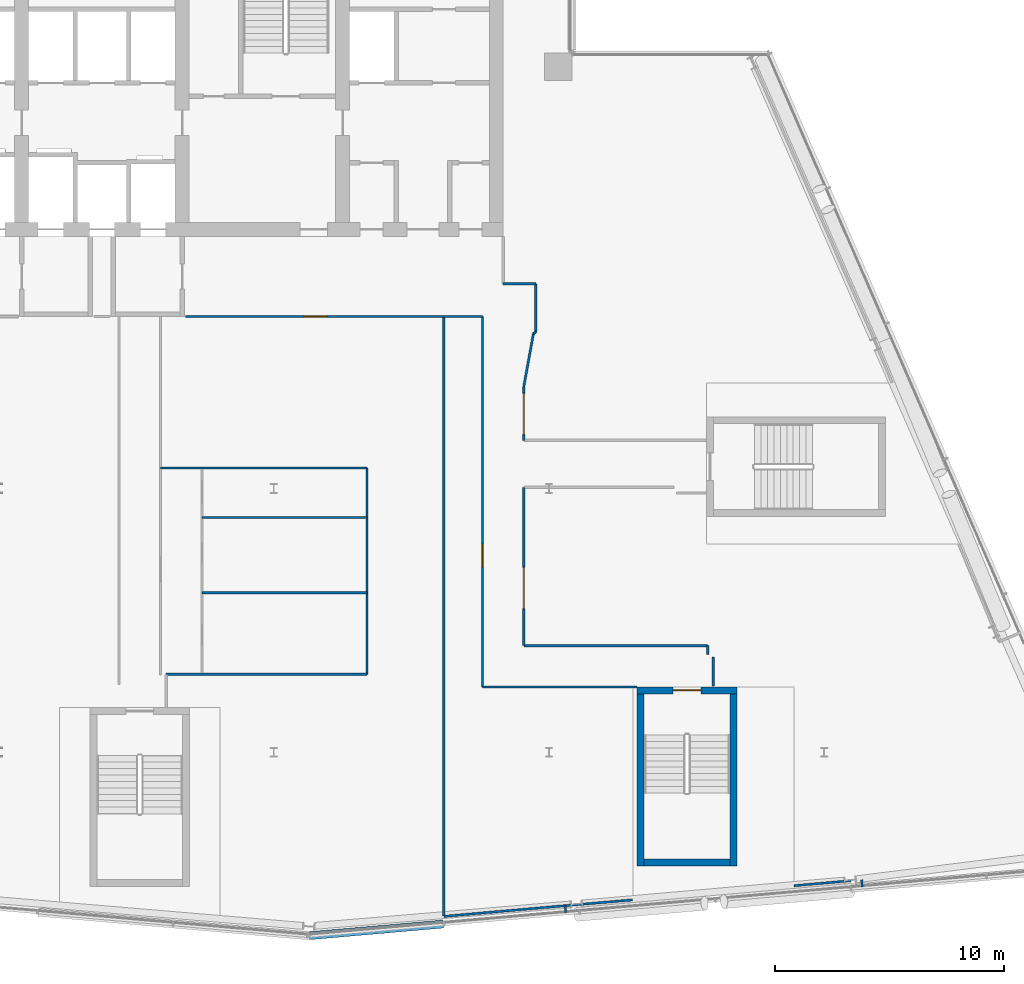
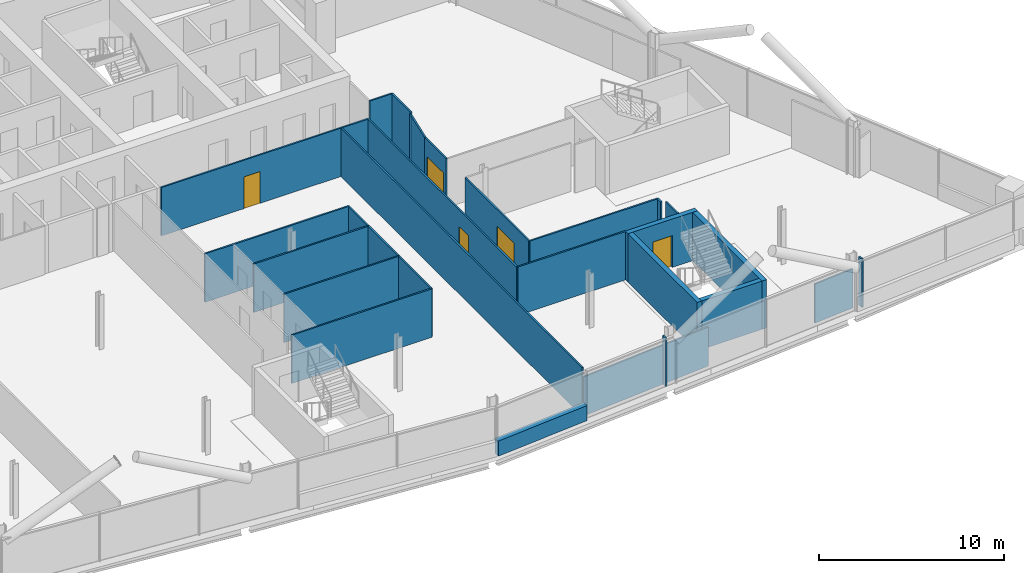
# One storey, part 16 of 25: 28 walls, 5 doors, 5 openings.
"""IFC4 building model written with IfcOpenShell, lengths in metres."""

import ifcopenshell
import ifcopenshell.guid

model = None  # the IFC model being written
_history = None  # IfcOwnerHistory: only IFC2X3 demands one
_inside = {}  # id of a spatial element -> (the spatial element, [elements in it])
_under = {}  # id of a project, library or spatial element -> (it, [spatial elements below it])
_declared = {}  # id of a project -> (the project, [libraries it declares])
_typed = {}  # id of a type object -> (the type object, [elements of that type])
_made_of = {}  # id of a material, layer set ... -> (it, [elements and type objects made of it])


def new_model(schema):
    """Start an empty IFC model of exactly this schema.

    Asked for "IFC4X3", IfcOpenShell would pick the latest addendum, in which some entities
    have other attributes; the version numbers below select the first issue.
    IFC2X3 requires an IfcOwnerHistory on every rooted entity: one is made here for all.
    """
    global model, _history
    if schema == "IFC4X3":
        model = ifcopenshell.file(schema_version=(4, 3, 0, 0))
    else:
        model = ifcopenshell.file(schema=schema)
    _inside.clear()
    _under.clear()
    _declared.clear()
    _typed.clear()
    _made_of.clear()
    _history = None
    if model.schema == "IFC2X3":
        org = make("IfcOrganization", Name="unknown")
        user = make(
            "IfcPersonAndOrganization",
            ThePerson=make("IfcPerson", FamilyName="unknown"),
            TheOrganization=org,
        )
        app = make(
            "IfcApplication",
            ApplicationDeveloper=org,
            Version="unknown",
            ApplicationFullName="unknown",
            ApplicationIdentifier="unknown",
        )
        _history = make(
            "IfcOwnerHistory",
            OwningUser=user,
            OwningApplication=app,
            ChangeAction="ADDED",
            CreationDate=0,
        )
    return model


def make(cls, **values):
    """One entity of the class cls with the attributes given. An attribute that is None is left unset."""
    return model.create_entity(
        cls, **{name: value for name, value in values.items() if value is not None}
    )


def rooted(cls, **values):
    """An entity with a GlobalId (a new one), such as an element, a storey or a relation."""
    return make(cls, GlobalId=ifcopenshell.guid.new(), OwnerHistory=_history, **values)


def si_unit(unit_type, name, prefix=None):
    """IfcSIUnit, for example si_unit("LENGTHUNIT", "METRE", prefix="MILLI")."""
    return make("IfcSIUnit", UnitType=unit_type, Prefix=prefix, Name=name)


def assignment(units):
    """IfcUnitAssignment: the units of a project."""
    return None if units is None else make("IfcUnitAssignment", Units=units)


def point(xyz):
    """IfcCartesianPoint."""
    return None if xyz is None else make("IfcCartesianPoint", Coordinates=xyz)


def direction(xyz):
    """IfcDirection."""
    return None if xyz is None else make("IfcDirection", DirectionRatios=xyz)


def frame(location, z_axis=None, x_axis=None):
    """IfcAxis2Placement3D, a coordinate frame: its origin and axes. An axis left out is left unset."""
    return make(
        "IfcAxis2Placement3D",
        Location=point(location),
        Axis=direction(z_axis),
        RefDirection=direction(x_axis),
    )


def frame_2d(location, x_axis=None):
    """IfcAxis2Placement2D, a coordinate frame in the plane: its origin and x axis."""
    return make(
        "IfcAxis2Placement2D", Location=point(location), RefDirection=direction(x_axis)
    )


def origin():
    """The frame at (0, 0, 0) with its axes left unset."""
    return frame((0.0, 0.0, 0.0))


def place(relative_to, where):
    """IfcLocalPlacement: puts the frame where relative to a parent placement (None: the world)."""
    return make(
        "IfcLocalPlacement", PlacementRelTo=relative_to, RelativePlacement=where
    )


def context(
    kind, dimensions, precision=None, world=None, true_north=None, identifier=None
):
    """IfcGeometricRepresentationContext, for example the 3D "Model" context."""
    return make(
        "IfcGeometricRepresentationContext",
        ContextIdentifier=identifier,
        ContextType=kind,
        CoordinateSpaceDimension=dimensions,
        Precision=precision,
        WorldCoordinateSystem=world,
        TrueNorth=true_north,
    )


def subcontext(parent, identifier, kind, view, scale=None):
    """IfcGeometricRepresentationSubContext, for example "Body" below "Model"."""
    return make(
        "IfcGeometricRepresentationSubContext",
        ContextIdentifier=identifier,
        ContextType=kind,
        ParentContext=parent,
        TargetScale=scale,
        TargetView=view,
    )


def project(units=None, contexts=None):
    """IfcProject with its units and contexts."""
    return rooted(
        "IfcProject",
        Name="project",
        RepresentationContexts=contexts,
        UnitsInContext=assignment(units),
    )


def spatial(cls, under=None, at=None, **own):
    """A site, building, storey or space (cls), placed at a placement, below another one or the project."""
    s = rooted(cls, ObjectPlacement=at, **own)
    if under is not None:
        _under.setdefault(under.id(), (under, []))[1].append(s)
    return s


def profile(cls, at=None, kind="AREA", **sizes):
    """A parametric profile (cls). Its sizes go by their IFC names, for example OverallWidth=200.0."""
    return make(cls, ProfileType=kind, Position=at, **sizes)


def rectangle(**sizes):
    """IfcRectangleProfileDef."""
    return profile("IfcRectangleProfileDef", **sizes)


def extrude(swept, where, along, depth):
    """IfcExtrudedAreaSolid: the profile swept, set in the frame where, extruded along a direction by depth."""
    return make(
        "IfcExtrudedAreaSolid",
        SweptArea=swept,
        Position=where,
        ExtrudedDirection=direction(along),
        Depth=depth,
    )


def shape(context_of_items, identifier, shape_type, items):
    """IfcShapeRepresentation: the items that make up one representation, for example the "Body"."""
    return make(
        "IfcShapeRepresentation",
        ContextOfItems=context_of_items,
        RepresentationIdentifier=identifier,
        RepresentationType=shape_type,
        Items=items,
    )


def material(Name=None, Category=None):
    """IfcMaterial."""
    return make("IfcMaterial", Name=Name, Category=Category)


def layer(
    of_material, thickness, ventilated=None, Name=None, Category=None, Priority=None
):
    """IfcMaterialLayer: one layer of a wall or slab, of a material (None: an air gap)."""
    return make(
        "IfcMaterialLayer",
        Material=of_material,
        LayerThickness=thickness,
        IsVentilated=ventilated,
        Name=Name,
        Category=Category,
        Priority=Priority,
    )


def layer_set(layers, Name=None):
    """IfcMaterialLayerSet."""
    return make("IfcMaterialLayerSet", MaterialLayers=layers, LayerSetName=Name)


def made_of(thing, what):
    """Note that an element or type object is made of a material, layer set ...; save() writes the relation."""
    if what is not None:
        _made_of.setdefault(what.id(), (what, []))[1].append(thing)
    return thing


def type_object(cls, material=None, **own):
    """A type object (cls), such as IfcWallType, which elements share."""
    return made_of(rooted(cls, **own), material)


def element(
    cls,
    number,
    at=None,
    inside=None,
    cuts=None,
    type_object=None,
    material=None,
    context=None,
    identifier="Body",
    shape_type=None,
    held_by="IfcProductDefinitionShape",
    body=None,
    shapes=None,
    **own,
):
    """One element of the class cls, such as IfcWall. Its Tag is "e" and its number.

    at: its placement. inside: the storey or other place that contains it. cuts: it is an
    opening in that element (IfcRelVoidsElement). A single representation is given by context,
    identifier, shape_type and body (its items); several are given by shapes. held_by: the class
    of the entity that holds the representations. save() writes the other relations.
    """
    e = rooted(cls, Tag="e%d" % number, ObjectPlacement=at, **own)
    if body is not None:
        shapes = [shape(context, identifier, shape_type, body)]
    if shapes is not None:
        e.Representation = make(held_by, Representations=shapes)
    if inside is not None:
        _inside.setdefault(inside.id(), (inside, []))[1].append(e)
    if cuts is not None:
        rooted(
            "IfcRelVoidsElement", RelatingBuildingElement=cuts, RelatedOpeningElement=e
        )
    if type_object is not None:
        _typed.setdefault(type_object.id(), (type_object, []))[1].append(e)
    return made_of(e, material)


def fill(opening, filler):
    """IfcRelFillsElement: the door or window that sits in an opening."""
    return rooted(
        "IfcRelFillsElement",
        RelatingOpeningElement=opening,
        RelatedBuildingElement=filler,
    )


def aggregate(whole, parts):
    """IfcRelAggregates: a whole, such as a stair, and the parts it consists of."""
    return rooted("IfcRelAggregates", RelatingObject=whole, RelatedObjects=parts)


def save(model, path):
    """Write the relations noted so far, then the file.

    IfcRelAggregates (storeys below a building ...), IfcRelContainedInSpatialStructure (elements
    in a storey), IfcRelDefinesByType, IfcRelAssociatesMaterial and IfcRelDeclares: one each for
    every whole, place, type object, material and project.
    """
    for whole, parts in _under.values():
        aggregate(whole, parts)
    for where, things in _inside.values():
        rooted(
            "IfcRelContainedInSpatialStructure",
            RelatedElements=things,
            RelatingStructure=where,
        )
    for kind, things in _typed.values():
        rooted("IfcRelDefinesByType", RelatedObjects=things, RelatingType=kind)
    for what, things in _made_of.values():
        rooted("IfcRelAssociatesMaterial", RelatedObjects=things, RelatingMaterial=what)
    for by, libraries in _declared.values():
        rooted("IfcRelDeclares", RelatingContext=by, RelatedDefinitions=libraries)
    model.write(path)


model = new_model("IFC4")

# Units and contexts
model_context = context("Model", 3, precision=1e-05, world=origin(), true_north=direction((0.0, 1.0)))
body_context = subcontext(model_context, "Body", "Model", "MODEL_VIEW")
ifc_project = project(units=[si_unit("LENGTHUNIT", "METRE"), si_unit("AREAUNIT", "SQUARE_METRE"), si_unit("VOLUMEUNIT", "CUBIC_METRE"), si_unit("PLANEANGLEUNIT", "RADIAN"), si_unit("MASSUNIT", "GRAM", prefix="KILO")], contexts=[model_context])

# Site, building, storey
site_placement = place(None, origin())
site = spatial("IfcSite", under=ifc_project, at=site_placement, CompositionType="ELEMENT")
building_placement = place(site_placement, origin())
building = spatial("IfcBuilding", under=site, at=building_placement, Name="Wharfspan Tower", CompositionType="ELEMENT")
storey_placement = place(building_placement, frame((0.0, 0.0, 232.300049)))
storey = spatial("IfcBuildingStorey", under=building, at=storey_placement, Name="L58", CompositionType="ELEMENT", Elevation=232.300049)

# Wall, opening, door
ifc_material_1 = material(Name="Gypsum board on steel studs", Category="steel")
ifc_layer_1 = layer(ifc_material_1, 0.100098)
ifc_layer_set_1 = layer_set([ifc_layer_1], Name="Gypsum board on steel studs")
wall_type_1 = type_object("IfcWallType", Name="Compartment wall 100 EI 60", PredefinedType="PARTITIONING", material=ifc_layer_set_1)
wall_1_placement = place(storey_placement, frame((44.149902, 30.5, 0.0), z_axis=(0.0, 0.0, 1.0), x_axis=(1.0, 0.0, 0.0)))
wall_1 = element("IfcWall", 1, at=wall_1_placement, inside=storey, type_object=wall_type_1, Name="Partition L58.w015", PredefinedType="PARTITIONING", context=body_context, shape_type="SweptSolid", body=[
    extrude(rectangle(XDim=12.950195, YDim=0.100098, at=frame_2d((6.475098, 0.0))), origin(), (0.0, 0.0, 1.0), 3.199951),
])
opening_1_placement = place(wall_1_placement, frame((5.169922, 0.0, 0.0)))
opening_1 = element("IfcOpeningElement", 2, at=opening_1_placement, cuts=wall_1, Name="Opening D4-10", PredefinedType="OPENING", context=body_context, shape_type="SweptSolid", body=[
    extrude(rectangle(XDim=1.0, YDim=2.100098, at=frame_2d((0.5, 1.050049))), frame((0.0, 0.060059, 0.0), z_axis=(0.0, -1.0, 0.0), x_axis=(1.0, 0.0, 0.0)), (0.0, 0.0, 1.0), 0.120117),
])
ifc_material_2 = material(Name="Fire-rated timber door leaf in steel frame", Category="steel")
door_type_1 = type_object("IfcDoorType", Name="Door 1000 FD30S Left", OperationType="SINGLE_SWING_LEFT", PredefinedType="DOOR", material=ifc_material_2)
door_1_placement = place(opening_1_placement, origin())
door_1 = element("IfcDoor", 3, at=door_1_placement, inside=storey, type_object=door_type_1, Name="Door D4-10", OperationType="SINGLE_SWING_LEFT", OverallHeight=2.100098, OverallWidth=1.0, PredefinedType="DOOR", context=body_context, shape_type="SweptSolid", body=[
    extrude(rectangle(XDim=1.0, YDim=2.100098, at=frame_2d((0.5, 1.050049))), frame((0.0, 0.024902, 0.0), z_axis=(0.0, -1.0, 0.0), x_axis=(1.0, 0.0, 0.0)), (0.0, 0.0, 1.0), 0.050049),
])
fill(opening_1, door_1)

# Walls
wall_2_placement = place(storey_placement, frame((43.060059, 23.89502, 0.0), z_axis=(0.0, 0.0, 1.0), x_axis=(1.0, 0.0, 0.0)))
element("IfcWall", 4, at=wall_2_placement, inside=storey, type_object=wall_type_1, Name="Partition L58.w016", PredefinedType="PARTITIONING", context=body_context, shape_type="SweptSolid", body=[
    extrude(rectangle(XDim=9.0, YDim=0.100098, at=frame_2d((4.5, 0.0))), origin(), (0.0, 0.0, 1.0), 3.199951),
])
wall_3_placement = place(storey_placement, frame((55.415039, 4.344971, 0.0), z_axis=(0.0, 0.0, 1.0), x_axis=(0.0, 1.0, 0.0)))
element("IfcWall", 5, at=wall_3_placement, inside=storey, type_object=wall_type_1, Name="Partition L58.w024", PredefinedType="PARTITIONING", context=body_context, shape_type="SweptSolid", body=[
    extrude(rectangle(XDim=26.155029, YDim=0.100098, at=frame_2d((13.077637, 0.0))), origin(), (0.0, 0.0, 1.0), 3.199951),
])

# Wall, opening, door
wall_4_placement = place(storey_placement, frame((57.100098, 14.344971, 0.0), z_axis=(0.0, 0.0, 1.0), x_axis=(0.0, 1.0, 0.0)))
wall_4 = element("IfcWall", 6, at=wall_4_placement, inside=storey, type_object=wall_type_1, Name="Partition L58.w026", PredefinedType="PARTITIONING", context=body_context, shape_type="SweptSolid", body=[
    extrude(rectangle(XDim=16.155029, YDim=0.100098, at=frame_2d((8.077637, 0.0))), origin(), (0.0, 0.0, 1.0), 3.199951),
])
opening_2_placement = place(wall_4_placement, frame((5.215088, 0.0, 0.0)))
opening_2 = element("IfcOpeningElement", 7, at=opening_2_placement, cuts=wall_4, Name="Opening D4-04", PredefinedType="OPENING", context=body_context, shape_type="SweptSolid", body=[
    extrude(rectangle(XDim=1.0, YDim=2.100098, at=frame_2d((0.5, 1.050049))), frame((0.0, 0.060059, 0.0), z_axis=(0.0, -1.0, 0.0), x_axis=(1.0, 0.0, 0.0)), (0.0, 0.0, 1.0), 0.120117),
])
door_2_placement = place(opening_2_placement, origin())
door_2 = element("IfcDoor", 8, at=door_2_placement, inside=storey, type_object=door_type_1, Name="Door D4-04", OperationType="SINGLE_SWING_LEFT", OverallHeight=2.100098, OverallWidth=1.0, PredefinedType="DOOR", context=body_context, shape_type="SweptSolid", body=[
    extrude(rectangle(XDim=1.0, YDim=2.100098, at=frame_2d((0.5, 1.050049))), frame((0.0, 0.024902, 0.0), z_axis=(0.0, -1.0, 0.0), x_axis=(1.0, 0.0, 0.0)), (0.0, 0.0, 1.0), 0.050049),
])
fill(opening_2, door_2)

# Walls
wall_5_placement = place(storey_placement, frame((57.100098, 14.344971, 0.0), z_axis=(0.0, 0.0, 1.0), x_axis=(1.0, 0.0, 0.0)))
element("IfcWall", 9, at=wall_5_placement, inside=storey, type_object=wall_type_1, Name="Partition L58.w027", PredefinedType="PARTITIONING", context=body_context, shape_type="SweptSolid", body=[
    extrude(rectangle(XDim=6.743652, YDim=0.100098, at=frame_2d((3.371826, 0.0))), origin(), (0.0, 0.0, 1.0), 3.199951),
])
wall_6_placement = place(storey_placement, frame((58.0, 31.925049, 0.0), z_axis=(0.0, 0.0, 1.0), x_axis=(1.0, 0.0, 0.0)))
element("IfcWall", 10, at=wall_6_placement, inside=storey, type_object=wall_type_1, Name="Partition L58.w029", PredefinedType="PARTITIONING", context=body_context, shape_type="SweptSolid", body=[
    extrude(rectangle(XDim=1.425049, YDim=0.100098, at=frame_2d((0.712402, 0.0))), origin(), (0.0, 0.0, 1.0), 3.199951),
])

# Wall, opening, door
wall_7_placement = place(storey_placement, frame((58.899902, 16.14502, 0.0), z_axis=(0.0, 0.0, 1.0), x_axis=(0.0, 1.0, 0.0)))
wall_7 = element("IfcWall", 11, at=wall_7_placement, inside=storey, type_object=wall_type_1, Name="Partition L58.w030", PredefinedType="PARTITIONING", context=body_context, shape_type="SweptSolid", body=[
    extrude(rectangle(XDim=6.905029, YDim=0.100098, at=frame_2d((3.452637, 0.0))), origin(), (0.0, 0.0, 1.0), 3.199951),
])
opening_3_placement = place(wall_7_placement, frame((1.611328, 0.0, 0.0)))
opening_3 = element("IfcOpeningElement", 12, at=opening_3_placement, cuts=wall_7, Name="Opening D4-02", PredefinedType="OPENING", context=body_context, shape_type="SweptSolid", body=[
    extrude(rectangle(XDim=1.800049, YDim=2.100098, at=frame_2d((0.899902, 1.050049))), frame((0.0, 0.060059, 0.0), z_axis=(0.0, -1.0, 0.0), x_axis=(1.0, 0.0, 0.0)), (0.0, 0.0, 1.0), 0.120117),
])
door_type_2 = type_object("IfcDoorType", Name="Door 1800 FD30S Double", OperationType="DOUBLE_DOOR_SINGLE_SWING", PredefinedType="DOOR", material=ifc_material_2)
door_3_placement = place(opening_3_placement, origin())
door_3 = element("IfcDoor", 13, at=door_3_placement, inside=storey, type_object=door_type_2, Name="Door D4-02", OperationType="DOUBLE_DOOR_SINGLE_SWING", OverallHeight=2.100098, OverallWidth=1.800049, PredefinedType="DOOR", context=body_context, shape_type="SweptSolid", body=[
    extrude(rectangle(XDim=1.800049, YDim=2.100098, at=frame_2d((0.899902, 1.050049))), frame((0.0, 0.024902, 0.0), z_axis=(0.0, -1.0, 0.0), x_axis=(1.0, 0.0, 0.0)), (0.0, 0.0, 1.0), 0.050049),
])
fill(opening_3, door_3)

# Wall
wall_8_placement = place(storey_placement, frame((58.899902, 16.14502, 0.0), z_axis=(0.0, 0.0, 1.0), x_axis=(1.0, 0.0, 0.0)))
element("IfcWall", 14, at=wall_8_placement, inside=storey, type_object=wall_type_1, Name="Partition L58.w031", PredefinedType="PARTITIONING", context=body_context, shape_type="SweptSolid", body=[
    extrude(rectangle(XDim=8.02002, YDim=0.100098, at=frame_2d((4.01001, 0.0))), origin(), (0.0, 0.0, 1.0), 3.199951),
])

# Wall, opening, door
wall_9_placement = place(storey_placement, frame((58.899902, 25.100098, 0.0), z_axis=(0.0, 0.0, 1.0), x_axis=(0.0, 1.0, 0.0)))
wall_9 = element("IfcWall", 15, at=wall_9_placement, inside=storey, type_object=wall_type_1, Name="Partition L58.w033", PredefinedType="PARTITIONING", context=body_context, shape_type="SweptSolid", body=[
    extrude(rectangle(XDim=2.334961, YDim=0.100098, at=frame_2d((1.16748, 0.0))), origin(), (0.0, 0.0, 1.0), 3.199951),
])
opening_4_placement = place(wall_9_placement, frame((0.25, 0.0, 0.0)))
opening_4 = element("IfcOpeningElement", 16, at=opening_4_placement, cuts=wall_9, Name="Opening D4-07", PredefinedType="OPENING", context=body_context, shape_type="SweptSolid", body=[
    extrude(rectangle(XDim=1.800049, YDim=2.100098, at=frame_2d((0.899902, 1.050049))), frame((0.0, 0.060059, 0.0), z_axis=(0.0, -1.0, 0.0), x_axis=(1.0, 0.0, 0.0)), (0.0, 0.0, 1.0), 0.120117),
])
door_4_placement = place(opening_4_placement, origin())
door_4 = element("IfcDoor", 17, at=door_4_placement, inside=storey, type_object=door_type_2, Name="Door D4-07", OperationType="DOUBLE_DOOR_SINGLE_SWING", OverallHeight=2.100098, OverallWidth=1.800049, PredefinedType="DOOR", context=body_context, shape_type="SweptSolid", body=[
    extrude(rectangle(XDim=1.800049, YDim=2.100098, at=frame_2d((0.899902, 1.050049))), frame((0.0, 0.024902, 0.0), z_axis=(0.0, -1.0, 0.0), x_axis=(1.0, 0.0, 0.0)), (0.0, 0.0, 1.0), 0.050049),
])
fill(opening_4, door_4)

# Walls
wall_10_placement = place(storey_placement, frame((58.899902, 27.435059, 0.0), z_axis=(0.0, 0.0, 1.0), x_axis=(0.178584, 0.983924, 0.0)))
element("IfcWall", 18, at=wall_10_placement, inside=storey, type_object=wall_type_1, Name="Partition L58.w035", PredefinedType="PARTITIONING", context=body_context, shape_type="SweptSolid", body=[
    extrude(rectangle(XDim=2.352783, YDim=0.100098, at=frame_2d((1.17627, 0.0))), origin(), (0.0, 0.0, 1.0), 3.199951),
])
wall_11_placement = place(storey_placement, frame((59.320068, 29.75, 0.0), z_axis=(0.0, 0.0, 1.0), x_axis=(0.741581, 0.670872, 0.0)))
element("IfcWall", 19, at=wall_11_placement, inside=storey, type_object=wall_type_1, Name="Partition L58.w036", PredefinedType="PARTITIONING", context=body_context, shape_type="SweptSolid", body=[
    extrude(rectangle(XDim=0.141602, YDim=0.100098, at=frame_2d((0.070801, 0.0))), origin(), (0.0, 0.0, 1.0), 3.199951),
])
wall_12_placement = place(storey_placement, frame((59.425049, 29.844971, 0.0), z_axis=(0.0, 0.0, 1.0), x_axis=(0.0, 1.0, 0.0)))
element("IfcWall", 20, at=wall_12_placement, inside=storey, type_object=wall_type_1, Name="Partition L58.w037", PredefinedType="PARTITIONING", context=body_context, shape_type="SweptSolid", body=[
    extrude(rectangle(XDim=2.080078, YDim=0.100098, at=frame_2d((1.040039, 0.0))), origin(), (0.0, 0.0, 1.0), 3.199951),
])
wall_13_placement = place(storey_placement, frame((66.919922, 15.764893, 0.0), z_axis=(0.0, 0.0, 1.0), x_axis=(0.0, 1.0, 0.0)))
element("IfcWall", 21, at=wall_13_placement, inside=storey, type_object=wall_type_1, Name="Partition L58.w041", PredefinedType="PARTITIONING", context=body_context, shape_type="SweptSolid", body=[
    extrude(rectangle(XDim=0.380127, YDim=0.100098, at=frame_2d((0.189941, 0.0))), origin(), (0.0, 0.0, 1.0), 3.199951),
])
wall_14_placement = place(storey_placement, frame((67.169922, 14.366211, 0.0), z_axis=(0.0, 0.0, 1.0), x_axis=(0.0, 1.0, 0.0)))
element("IfcWall", 22, at=wall_14_placement, inside=storey, type_object=wall_type_1, Name="Partition L58.w042", PredefinedType="PARTITIONING", context=body_context, shape_type="SweptSolid", body=[
    extrude(rectangle(XDim=1.278809, YDim=0.100098, at=frame_2d((0.639404, 0.0))), origin(), (0.0, 0.0, 1.0), 3.199951),
])
ifc_layer_2 = layer(ifc_material_1, 0.100098)
ifc_layer_set_2 = layer_set([ifc_layer_2], Name="Gypsum board on steel studs")
wall_type_2 = type_object("IfcWallType", Name="Partition 100", PredefinedType="PARTITIONING", material=ifc_layer_set_2)
wall_15_placement = place(storey_placement, frame((43.304932, 14.89502, 0.0), z_axis=(0.0, 0.0, 1.0), x_axis=(1.0, 0.0, 0.0)))
element("IfcWall", 23, at=wall_15_placement, inside=storey, type_object=wall_type_2, Name="Partition L58.w018", PredefinedType="PARTITIONING", context=body_context, shape_type="SweptSolid", body=[
    extrude(rectangle(XDim=8.755127, YDim=0.100098, at=frame_2d((4.377441, 0.0))), origin(), (0.0, 0.0, 1.0), 3.199951),
])
for number, where, z_axis, x_axis, name in (
    (24, (44.86499, 18.449951, 0.0), (0.0, 0.0, 1.0), (1.0, 0.0, 0.0), "Partition L58.w020"),
    (25, (44.86499, 21.735107, 0.0), (0.0, 0.0, 1.0), (1.0, 0.0, 0.0), "Partition L58.w021"),
):
    element("IfcWall", number, at=place(storey_placement, frame(where, z_axis=z_axis, x_axis=x_axis)), inside=storey, type_object=wall_type_2, Name=name, PredefinedType="PARTITIONING", context=body_context, shape_type="SweptSolid", body=[
        extrude(rectangle(XDim=7.195068, YDim=0.100098, at=frame_2d((3.597656, 0.0))), origin(), (0.0, 0.0, 1.0), 3.199951),
    ])
wall_16_placement = place(storey_placement, frame((52.064941, 14.89502, 0.0), z_axis=(0.0, 0.0, 1.0), x_axis=(0.0, 1.0, 0.0)))
element("IfcWall", 26, at=wall_16_placement, inside=storey, type_object=wall_type_2, Name="Partition L58.w022", PredefinedType="PARTITIONING", context=body_context, shape_type="SweptSolid", body=[
    extrude(rectangle(XDim=9.0, YDim=0.100098, at=frame_2d((4.5, 0.0))), origin(), (0.0, 0.0, 1.0), 3.199951),
])
wall_17_placement = place(storey_placement, frame((55.415039, 4.340088, 0.0), z_axis=(0.0, 0.0, 1.0), x_axis=(0.996159, 0.087534, 0.0)))
element("IfcWall", 27, at=wall_17_placement, inside=storey, type_object=wall_type_2, Name="Partition L58.w023", PredefinedType="PARTITIONING", context=body_context, shape_type="SweptSolid", body=[
    extrude(rectangle(XDim=5.310303, YDim=0.100098, at=frame_2d((2.655273, 0.0))), origin(), (0.0, 0.0, 1.0), 2.579834),
])
wall_18_placement = place(storey_placement, frame((60.705078, 4.804932, 0.0), z_axis=(0.0, 0.0, 1.0), x_axis=(0.996324, 0.085692, 0.0)))
element("IfcWall", 28, at=wall_18_placement, inside=storey, type_object=wall_type_2, Name="Partition L58.w038", PredefinedType="PARTITIONING", context=body_context, shape_type="SweptSolid", body=[
    extrude(rectangle(XDim=2.95459, YDim=0.100098, at=frame_2d((1.477295, 0.0))), origin(), (0.0, 0.0, 1.0), 2.579834),
])
wall_19_placement = place(storey_placement, frame((60.73291, 4.49707, 0.0), z_axis=(0.0, 0.0, 1.0), x_axis=(-0.090037, 0.995936, 0.0)))
element("IfcWall", 29, at=wall_19_placement, inside=storey, type_object=wall_type_2, Name="Partition L58.w039", PredefinedType="PARTITIONING", context=body_context, shape_type="SweptSolid", body=[
    extrude(rectangle(XDim=0.309082, YDim=0.100098, at=frame_2d((0.154541, 0.0))), origin(), (0.0, 0.0, 1.0), 3.199951),
])
wall_20_placement = place(storey_placement, frame((70.688721, 5.676758, 0.0), z_axis=(0.0, 0.0, 1.0), x_axis=(0.996136, 0.087799, 0.0)))
element("IfcWall", 30, at=wall_20_placement, inside=storey, type_object=wall_type_2, Name="Partition L58.w043", PredefinedType="PARTITIONING", context=body_context, shape_type="SweptSolid", body=[
    extrude(rectangle(XDim=2.48584, YDim=0.100098, at=frame_2d((1.24292, 0.0))), origin(), (0.0, 0.0, 1.0), 2.579834),
])
wall_21_placement = place(storey_placement, frame((73.66333, 5.628174, 0.0), z_axis=(0.0, 0.0, 1.0), x_axis=(-0.091893, 0.995772, 0.0)))
element("IfcWall", 31, at=wall_21_placement, inside=storey, type_object=wall_type_2, Name="Partition L58.w045", PredefinedType="PARTITIONING", context=body_context, shape_type="SweptSolid", body=[
    extrude(rectangle(XDim=0.308105, YDim=0.100098, at=frame_2d((0.154053, 0.0))), origin(), (0.0, 0.0, 1.0), 3.199951),
])
ifc_material_3 = material(Name="Concrete C40/50", Category="concrete")
ifc_layer_3 = layer(ifc_material_3, 0.350098)
ifc_layer_set_3 = layer_set([ifc_layer_3], Name="Concrete C40/50")
wall_type_3 = type_object("IfcWallType", Name="SPANDREL EXPOSED CONCRETE 350", PredefinedType="SOLIDWALL", material=ifc_layer_set_3)
wall_22_placement = place(storey_placement, frame((49.54541, 3.493164, 0.0), z_axis=(0.0, 0.0, 1.0), x_axis=(0.996196, 0.087138, 0.0)))
element("IfcWall", 32, at=wall_22_placement, inside=storey, type_object=wall_type_3, Name="Spandrel upstand L58 S2 1", PredefinedType="SOLIDWALL", context=body_context, shape_type="SweptSolid", body=[
    extrude(rectangle(XDim=5.864014, YDim=0.350098, at=frame_2d((2.932129, 0.0))), origin(), (0.0, 0.0, 1.0), 1.0),
])

# Wall, opening, door
ifc_layer_4 = layer(ifc_material_3, 0.300049)
ifc_layer_set_4 = layer_set([ifc_layer_4], Name="Concrete C40/50")
wall_type_4 = type_object("IfcWallType", Name="Stair core wall 300", PredefinedType="SHEAR", material=ifc_layer_set_4)
wall_23_placement = place(storey_placement, frame((63.84375, 14.196289, 0.0), z_axis=(0.0, 0.0, 1.0), x_axis=(1.0, 0.0, 0.0)))
wall_23 = element("IfcWall", 33, at=wall_23_placement, inside=storey, type_object=wall_type_4, Name="ST5 stair enclosure wall L58", PredefinedType="SHEAR", context=body_context, shape_type="SweptSolid", body=[
    extrude(rectangle(XDim=4.350098, YDim=0.300049, at=frame_2d((2.175049, 0.0))), origin(), (0.0, 0.0, 1.0), 3.199951),
])
opening_5_placement = place(wall_23_placement, frame((1.574951, 0.0, 0.0)))
opening_5 = element("IfcOpeningElement", 34, at=opening_5_placement, cuts=wall_23, Name="Opening SD5.L58", PredefinedType="OPENING", context=body_context, shape_type="SweptSolid", body=[
    extrude(rectangle(XDim=1.199951, YDim=2.100098, at=frame_2d((0.600098, 1.050049))), frame((0.0, 0.159912, 0.0), z_axis=(0.0, -1.0, 0.0), x_axis=(1.0, 0.0, 0.0)), (0.0, 0.0, 1.0), 0.320068),
])
ifc_material_4 = material(Name="Steel door leaf", Category="steel")
door_type_3 = type_object("IfcDoorType", Name="Stair door 1200x2100", OperationType="SINGLE_SWING_LEFT", PredefinedType="DOOR", material=ifc_material_4)
door_5_placement = place(opening_5_placement, origin())
door_5 = element("IfcDoor", 35, at=door_5_placement, inside=storey, type_object=door_type_3, Name="sd:L58:ST5z4", OperationType="SINGLE_SWING_RIGHT", OverallHeight=2.100098, OverallWidth=1.199951, PredefinedType="DOOR", context=body_context, shape_type="SweptSolid", body=[
    extrude(rectangle(XDim=1.199951, YDim=2.100098, at=frame_2d((0.600098, 1.050049))), frame((0.0, 0.024902, 0.0), z_axis=(0.0, -1.0, 0.0), x_axis=(1.0, 0.0, 0.0)), (0.0, 0.0, 1.0), 0.050049),
])
fill(opening_5, door_5)

# Walls
for number, where, z_axis, x_axis, name in (
    (36, (63.993896, 6.546143, 0.0), (0.0, 0.0, 1.0), (0.0, 1.0, 0.0), "ST5 stair enclosure wall L58"),
    (37, (68.043701, 6.546143, 0.0), (0.0, 0.0, 1.0), (0.0, 1.0, 0.0), "ST5 stair enclosure wall L58"),
):
    element("IfcWall", number, at=place(storey_placement, frame(where, z_axis=z_axis, x_axis=x_axis)), inside=storey, type_object=wall_type_4, Name=name, PredefinedType="SHEAR", context=body_context, shape_type="SweptSolid", body=[
        extrude(rectangle(XDim=7.5, YDim=0.300049, at=frame_2d((3.75, 0.0))), origin(), (0.0, 0.0, 1.0), 3.199951),
    ])
wall_24_placement = place(storey_placement, frame((64.143799, 6.696289, 0.0), z_axis=(0.0, 0.0, 1.0), x_axis=(1.0, 0.0, 0.0)))
element("IfcWall", 38, at=wall_24_placement, inside=storey, type_object=wall_type_4, Name="ST5 stair enclosure wall L58", PredefinedType="SHEAR", context=body_context, shape_type="SweptSolid", body=[
    extrude(rectangle(XDim=3.75, YDim=0.300049, at=frame_2d((1.875, 0.0))), origin(), (0.0, 0.0, 1.0), 3.199951),
])

save(model, "model.ifc")
